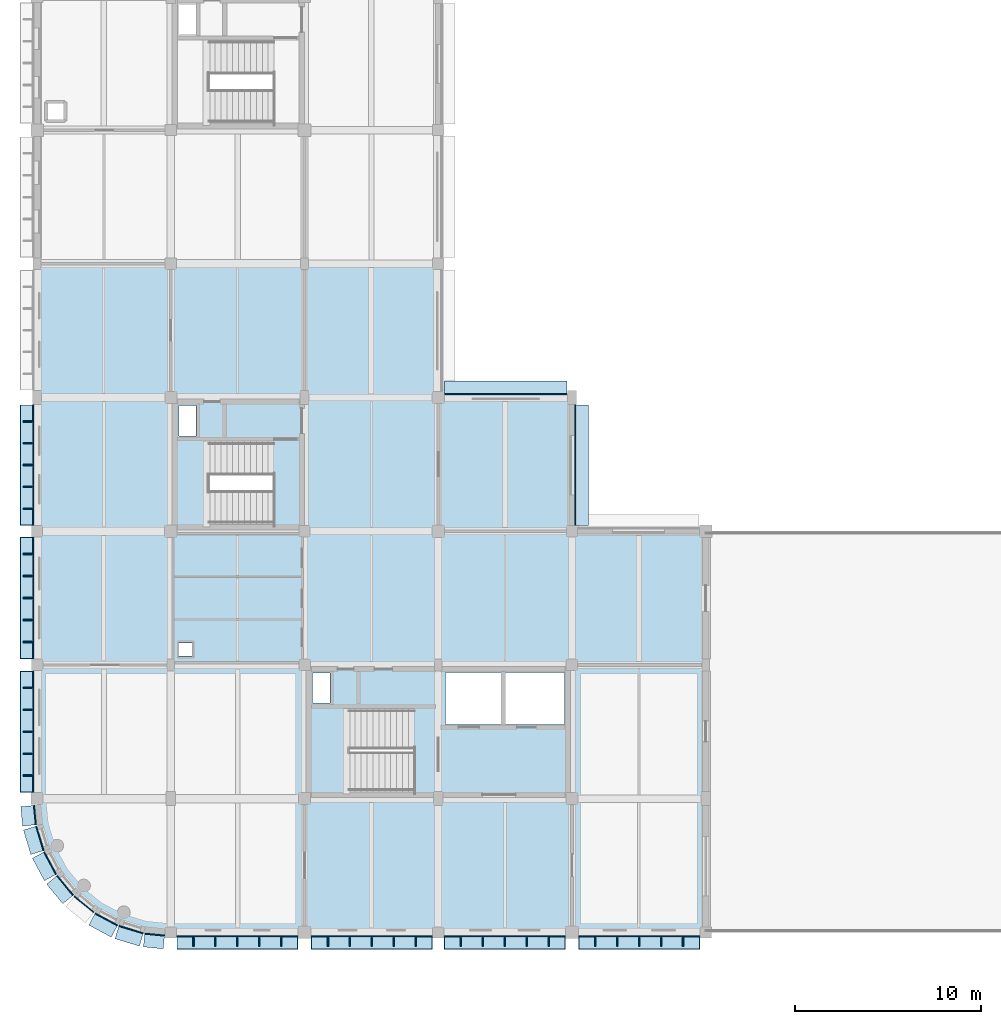
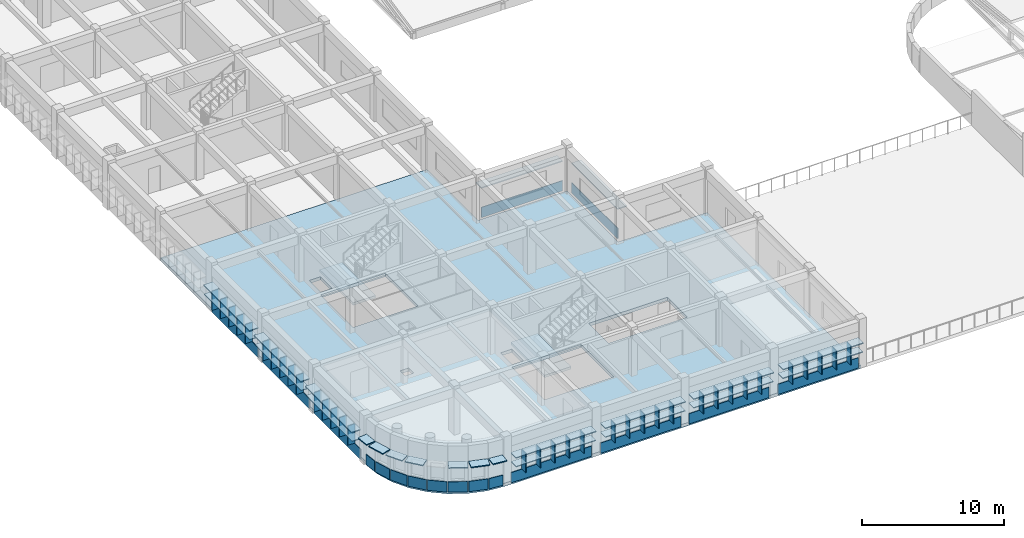
# One storey, part 66 of 103: 75 plates, 3 slabs, 2 elements without a shape of their own.
"""IFC4 building model written with IfcOpenShell, lengths in metres."""

import ifcopenshell
import ifcopenshell.guid

model = None  # the IFC model being written
_history = None  # IfcOwnerHistory: only IFC2X3 demands one
_inside = {}  # id of a spatial element -> (the spatial element, [elements in it])
_under = {}  # id of a project, library or spatial element -> (it, [spatial elements below it])
_declared = {}  # id of a project -> (the project, [libraries it declares])
_typed = {}  # id of a type object -> (the type object, [elements of that type])
_made_of = {}  # id of a material, layer set ... -> (it, [elements and type objects made of it])


def new_model(schema):
    """Start an empty IFC model of exactly this schema.

    Asked for "IFC4X3", IfcOpenShell would pick the latest addendum, in which some entities
    have other attributes; the version numbers below select the first issue.
    IFC2X3 requires an IfcOwnerHistory on every rooted entity: one is made here for all.
    """
    global model, _history
    if schema == "IFC4X3":
        model = ifcopenshell.file(schema_version=(4, 3, 0, 0))
    else:
        model = ifcopenshell.file(schema=schema)
    _inside.clear()
    _under.clear()
    _declared.clear()
    _typed.clear()
    _made_of.clear()
    _history = None
    if model.schema == "IFC2X3":
        org = make("IfcOrganization", Name="unknown")
        user = make(
            "IfcPersonAndOrganization",
            ThePerson=make("IfcPerson", FamilyName="unknown"),
            TheOrganization=org,
        )
        app = make(
            "IfcApplication",
            ApplicationDeveloper=org,
            Version="unknown",
            ApplicationFullName="unknown",
            ApplicationIdentifier="unknown",
        )
        _history = make(
            "IfcOwnerHistory",
            OwningUser=user,
            OwningApplication=app,
            ChangeAction="ADDED",
            CreationDate=0,
        )
    return model


def make(cls, **values):
    """One entity of the class cls with the attributes given. An attribute that is None is left unset."""
    return model.create_entity(
        cls, **{name: value for name, value in values.items() if value is not None}
    )


def rooted(cls, **values):
    """An entity with a GlobalId (a new one), such as an element, a storey or a relation."""
    return make(cls, GlobalId=ifcopenshell.guid.new(), OwnerHistory=_history, **values)


def si_unit(unit_type, name, prefix=None):
    """IfcSIUnit, for example si_unit("LENGTHUNIT", "METRE", prefix="MILLI")."""
    return make("IfcSIUnit", UnitType=unit_type, Prefix=prefix, Name=name)


def assignment(units):
    """IfcUnitAssignment: the units of a project."""
    return None if units is None else make("IfcUnitAssignment", Units=units)


def point(xyz):
    """IfcCartesianPoint."""
    return None if xyz is None else make("IfcCartesianPoint", Coordinates=xyz)


def direction(xyz):
    """IfcDirection."""
    return None if xyz is None else make("IfcDirection", DirectionRatios=xyz)


def frame(location, z_axis=None, x_axis=None):
    """IfcAxis2Placement3D, a coordinate frame: its origin and axes. An axis left out is left unset."""
    return make(
        "IfcAxis2Placement3D",
        Location=point(location),
        Axis=direction(z_axis),
        RefDirection=direction(x_axis),
    )


def frame_2d(location, x_axis=None):
    """IfcAxis2Placement2D, a coordinate frame in the plane: its origin and x axis."""
    return make(
        "IfcAxis2Placement2D", Location=point(location), RefDirection=direction(x_axis)
    )


def origin():
    """The frame at (0, 0, 0) with its axes left unset."""
    return frame((0.0, 0.0, 0.0))


def origin_2d():
    """The frame at (0, 0) in the plane with its x axis left unset."""
    return frame_2d((0.0, 0.0))


def place(relative_to, where):
    """IfcLocalPlacement: puts the frame where relative to a parent placement (None: the world)."""
    return make(
        "IfcLocalPlacement", PlacementRelTo=relative_to, RelativePlacement=where
    )


def context(
    kind, dimensions, precision=None, world=None, true_north=None, identifier=None
):
    """IfcGeometricRepresentationContext, for example the 3D "Model" context."""
    return make(
        "IfcGeometricRepresentationContext",
        ContextIdentifier=identifier,
        ContextType=kind,
        CoordinateSpaceDimension=dimensions,
        Precision=precision,
        WorldCoordinateSystem=world,
        TrueNorth=true_north,
    )


def subcontext(parent, identifier, kind, view, scale=None):
    """IfcGeometricRepresentationSubContext, for example "Body" below "Model"."""
    return make(
        "IfcGeometricRepresentationSubContext",
        ContextIdentifier=identifier,
        ContextType=kind,
        ParentContext=parent,
        TargetScale=scale,
        TargetView=view,
    )


def project(units=None, contexts=None):
    """IfcProject with its units and contexts."""
    return rooted(
        "IfcProject",
        Name="project",
        RepresentationContexts=contexts,
        UnitsInContext=assignment(units),
    )


def spatial(cls, under=None, at=None, **own):
    """A site, building, storey or space (cls), placed at a placement, below another one or the project."""
    s = rooted(cls, ObjectPlacement=at, **own)
    if under is not None:
        _under.setdefault(under.id(), (under, []))[1].append(s)
    return s


def polyline(points):
    """IfcPolyline through the points."""
    return make("IfcPolyline", Points=[point(p) for p in points])


def profile(cls, at=None, kind="AREA", **sizes):
    """A parametric profile (cls). Its sizes go by their IFC names, for example OverallWidth=200.0."""
    return make(cls, ProfileType=kind, Position=at, **sizes)


def rectangle(**sizes):
    """IfcRectangleProfileDef."""
    return profile("IfcRectangleProfileDef", **sizes)


def outline(outer, holes=None, kind="AREA"):
    """IfcArbitraryClosedProfileDef: a profile drawn as a closed curve; with holes, ...WithVoids."""
    if holes is None:
        return make("IfcArbitraryClosedProfileDef", ProfileType=kind, OuterCurve=outer)
    return make(
        "IfcArbitraryProfileDefWithVoids",
        ProfileType=kind,
        OuterCurve=outer,
        InnerCurves=holes,
    )


def extrude(swept, where, along, depth):
    """IfcExtrudedAreaSolid: the profile swept, set in the frame where, extruded along a direction by depth."""
    return make(
        "IfcExtrudedAreaSolid",
        SweptArea=swept,
        Position=where,
        ExtrudedDirection=direction(along),
        Depth=depth,
    )


def shape(context_of_items, identifier, shape_type, items):
    """IfcShapeRepresentation: the items that make up one representation, for example the "Body"."""
    return make(
        "IfcShapeRepresentation",
        ContextOfItems=context_of_items,
        RepresentationIdentifier=identifier,
        RepresentationType=shape_type,
        Items=items,
    )


def material(Name=None, Category=None):
    """IfcMaterial."""
    return make("IfcMaterial", Name=Name, Category=Category)


def layer(
    of_material, thickness, ventilated=None, Name=None, Category=None, Priority=None
):
    """IfcMaterialLayer: one layer of a wall or slab, of a material (None: an air gap)."""
    return make(
        "IfcMaterialLayer",
        Material=of_material,
        LayerThickness=thickness,
        IsVentilated=ventilated,
        Name=Name,
        Category=Category,
        Priority=Priority,
    )


def layer_set(layers, Name=None):
    """IfcMaterialLayerSet."""
    return make("IfcMaterialLayerSet", MaterialLayers=layers, LayerSetName=Name)


def made_of(thing, what):
    """Note that an element or type object is made of a material, layer set ...; save() writes the relation."""
    if what is not None:
        _made_of.setdefault(what.id(), (what, []))[1].append(thing)
    return thing


def type_object(cls, material=None, **own):
    """A type object (cls), such as IfcWallType, which elements share."""
    return made_of(rooted(cls, **own), material)


def element(
    cls,
    number,
    at=None,
    inside=None,
    cuts=None,
    type_object=None,
    material=None,
    context=None,
    identifier="Body",
    shape_type=None,
    held_by="IfcProductDefinitionShape",
    body=None,
    shapes=None,
    **own,
):
    """One element of the class cls, such as IfcWall. Its Tag is "e" and its number.

    at: its placement. inside: the storey or other place that contains it. cuts: it is an
    opening in that element (IfcRelVoidsElement). A single representation is given by context,
    identifier, shape_type and body (its items); several are given by shapes. held_by: the class
    of the entity that holds the representations. save() writes the other relations.
    """
    e = rooted(cls, Tag="e%d" % number, ObjectPlacement=at, **own)
    if body is not None:
        shapes = [shape(context, identifier, shape_type, body)]
    if shapes is not None:
        e.Representation = make(held_by, Representations=shapes)
    if inside is not None:
        _inside.setdefault(inside.id(), (inside, []))[1].append(e)
    if cuts is not None:
        rooted(
            "IfcRelVoidsElement", RelatingBuildingElement=cuts, RelatedOpeningElement=e
        )
    if type_object is not None:
        _typed.setdefault(type_object.id(), (type_object, []))[1].append(e)
    return made_of(e, material)


def aggregate(whole, parts):
    """IfcRelAggregates: a whole, such as a stair, and the parts it consists of."""
    return rooted("IfcRelAggregates", RelatingObject=whole, RelatedObjects=parts)


def save(model, path):
    """Write the relations noted so far, then the file.

    IfcRelAggregates (storeys below a building ...), IfcRelContainedInSpatialStructure (elements
    in a storey), IfcRelDefinesByType, IfcRelAssociatesMaterial and IfcRelDeclares: one each for
    every whole, place, type object, material and project.
    """
    for whole, parts in _under.values():
        aggregate(whole, parts)
    for where, things in _inside.values():
        rooted(
            "IfcRelContainedInSpatialStructure",
            RelatedElements=things,
            RelatingStructure=where,
        )
    for kind, things in _typed.values():
        rooted("IfcRelDefinesByType", RelatedObjects=things, RelatingType=kind)
    for what, things in _made_of.values():
        rooted("IfcRelAssociatesMaterial", RelatedObjects=things, RelatingMaterial=what)
    for by, libraries in _declared.values():
        rooted("IfcRelDeclares", RelatingContext=by, RelatedDefinitions=libraries)
    model.write(path)


model = new_model("IFC4")

# Units and contexts
model_context = context("Model", 3, precision=1e-05, world=origin(), true_north=direction((0.0, 1.0)))
body_context = subcontext(model_context, "Body", "Model", "MODEL_VIEW")
ifc_project = project(units=[si_unit("LENGTHUNIT", "METRE"), si_unit("AREAUNIT", "SQUARE_METRE"), si_unit("VOLUMEUNIT", "CUBIC_METRE"), si_unit("PLANEANGLEUNIT", "RADIAN"), si_unit("MASSUNIT", "GRAM", prefix="KILO")], contexts=[model_context])

# Site, building, storey
site_placement = place(None, origin())
site = spatial("IfcSite", under=ifc_project, at=site_placement, CompositionType="ELEMENT")
building_placement = place(site_placement, origin())
building = spatial("IfcBuilding", under=site, at=building_placement, Name="Thalmaran Polytechnic", CompositionType="ELEMENT")
storey_placement = place(building_placement, frame((0.0, 0.0, 14.39990234375)))
storey = spatial("IfcBuildingStorey", under=building, at=storey_placement, Name="L03", CompositionType="ELEMENT", Elevation=14.39990234375)

# Plates
ifc_material_1 = material(Name="Anodised aluminium spandrel band", Category="aluminium")
ifc_layer_1 = layer(ifc_material_1, 0.054931640625, Name="Anodised aluminium spandrel band")
ifc_layer_set_1 = layer_set([ifc_layer_1], Name="Anodised aluminium spandrel band")
plate_type_1 = type_object("IfcPlateType", Name="PT-BD01", PredefinedType="SHEET", material=ifc_layer_set_1)
plate_1_placement = place(storey_placement, frame((-0.10888671875, 6.31689453125, 0.020263671875), z_axis=(0.0, 0.0, 1.0), x_axis=(-0.09801714033, 0.995184726672, 0.0)))
element("IfcPlate", 1, at=plate_1_placement, inside=storey, type_object=plate_type_1, Name="Streamline Horizontal Spandrel Band L03-029", PredefinedType="SHEET", context=body_context, shape_type="SweptSolid", body=[
    extrude(rectangle(XDim=1.04638671875, YDim=0.054931640625, at=origin_2d()), origin(), (0.0, 0.0, 1.0), 0.8798828125),
])
plate_2_placement = place(storey_placement, frame((-0.195068359375, 10.8076171875, 0.020263671875), z_axis=(0.0, 0.0, 1.0), x_axis=(0.0, 1.0, 0.0)))
element("IfcPlate", 2, at=plate_2_placement, inside=storey, type_object=plate_type_1, Name="Streamline Horizontal Spandrel Band L03-030", PredefinedType="SHEET", context=body_context, shape_type="SweptSolid", body=[
    extrude(rectangle(XDim=6.52490234375, YDim=0.054931640625, at=origin_2d()), origin(), (0.0, 0.0, 1.0), 0.8798828125),
])
plate_3_placement = place(storey_placement, frame((-0.195068359375, 18.0048828125, 0.020263671875), z_axis=(0.0, 0.0, 1.0), x_axis=(0.0, 1.0, 0.0)))
element("IfcPlate", 3, at=plate_3_placement, inside=storey, type_object=plate_type_1, Name="Streamline Horizontal Spandrel Band L03-031", PredefinedType="SHEET", context=body_context, shape_type="SweptSolid", body=[
    extrude(rectangle(XDim=6.550048828125, YDim=0.054931640625, at=origin_2d()), origin(), (0.0, 0.0, 1.0), 0.8798828125),
])
plate_4_placement = place(storey_placement, frame((-0.195068359375, 25.16259765625, 0.020263671875), z_axis=(0.0, 0.0, 1.0), x_axis=(0.0, 1.0, 0.0)))
element("IfcPlate", 4, at=plate_4_placement, inside=storey, type_object=plate_type_1, Name="Streamline Horizontal Spandrel Band L03-032", PredefinedType="SHEET", context=body_context, shape_type="SweptSolid", body=[
    extrude(rectangle(XDim=6.485107421875, YDim=0.054931640625, at=origin_2d()), origin(), (0.0, 0.0, 1.0), 0.8798828125),
])
plate_5_placement = place(storey_placement, frame((25.237548828125, 28.969970703125, 0.020263671875), z_axis=(0.0, 0.0, 1.0), x_axis=(1.0, 0.0, 0.0)))
element("IfcPlate", 5, at=plate_5_placement, inside=storey, type_object=plate_type_1, Name="Streamline Horizontal Spandrel Band L03-098", PredefinedType="SHEET", context=body_context, shape_type="SweptSolid", body=[
    extrude(rectangle(XDim=6.5849609375, YDim=0.054931640625, at=origin_2d()), origin(), (0.0, 0.0, 1.0), 0.8798828125),
])
plate_6_placement = place(storey_placement, frame((28.969970703125, 25.16259765625, 0.020263671875), z_axis=(0.0, 0.0, 1.0), x_axis=(0.0, -1.0, 0.0)))
element("IfcPlate", 6, at=plate_6_placement, inside=storey, type_object=plate_type_1, Name="Streamline Horizontal Spandrel Band L03-099", PredefinedType="SHEET", context=body_context, shape_type="SweptSolid", body=[
    extrude(rectangle(XDim=6.485107421875, YDim=0.054931640625, at=origin_2d()), origin(), (0.0, 0.0, 1.0), 0.8798828125),
])
for number, where, z_axis, x_axis, name in (
    (7, (32.419921875, -0.195068359375, 0.020263671875), (0.0, 0.0, 1.0), (-1.0, 0.0, 0.0), "Streamline Horizontal Spandrel Band L03-104"),
    (8, (25.179931640625, -0.195068359375, 0.020263671875), (0.0, 0.0, 1.0), (-1.0, 0.0, 0.0), "Streamline Horizontal Spandrel Band L03-105"),
    (9, (18.02001953125, -0.195068359375, 0.020263671875), (0.0, 0.0, 1.0), (-1.0, 0.0, 0.0), "Streamline Horizontal Spandrel Band L03-106"),
    (10, (10.780029296875, -0.195068359375, 0.020263671875), (0.0, 0.0, 1.0), (-1.0, 0.0, 0.0), "Streamline Horizontal Spandrel Band L03-107"),
):
    element("IfcPlate", number, at=place(storey_placement, frame(where, z_axis=z_axis, x_axis=x_axis)), inside=storey, type_object=plate_type_1, Name=name, PredefinedType="SHEET", context=body_context, shape_type="SweptSolid", body=[
        extrude(rectangle(XDim=6.52001953125, YDim=0.054931640625, at=origin_2d()), origin(), (0.0, 0.0, 1.0), 0.8798828125),
    ])
plate_7_placement = place(storey_placement, frame((6.329345703125, -0.110107421875, 0.020263671875), z_axis=(0.0, 0.0, 1.0), x_axis=(-0.995184726672, 0.09801714033, 0.0)))
element("IfcPlate", 11, at=plate_7_placement, inside=storey, type_object=plate_type_1, Name="Streamline Horizontal Spandrel Band L03-108", PredefinedType="SHEET", context=body_context, shape_type="SweptSolid", body=[
    extrude(rectangle(XDim=1.0712890625, YDim=0.054931640625, at=origin_2d()), origin(), (0.0, 0.0, 1.0), 0.8798828125),
])
for number, where, z_axis, x_axis, name in (
    (12, (5.0634765625, 0.156494140625, 0.020263671875), (0.0, 0.0, 1.0), (-0.956940335732, 0.290284677254, 0.0), "Streamline Horizontal Spandrel Band L03-109"),
    (13, (3.73046875, 0.708740234375, 0.020263671875), (0.0, 0.0, 1.0), (-0.881921264348, 0.471396736826, 0.0), "Streamline Horizontal Spandrel Band L03-110"),
    (14, (2.53076171875, 1.510498046875, 0.020263671875), (0.0, 0.0, 1.0), (-0.773010453363, 0.634393284164, 0.0), "Streamline Horizontal Spandrel Band L03-111"),
    (15, (1.510498046875, 2.53076171875, 0.020263671875), (0.0, 0.0, 1.0), (-0.634393284164, 0.773010453363, 0.0), "Streamline Horizontal Spandrel Band L03-112"),
    (16, (0.708740234375, 3.73046875, 0.020263671875), (0.0, 0.0, 1.0), (-0.471396736826, 0.881921264348, 0.0), "Streamline Horizontal Spandrel Band L03-113"),
    (17, (0.156494140625, 5.0634765625, 0.020263671875), (0.0, 0.0, 1.0), (-0.290284677254, 0.956940335732, 0.0), "Streamline Horizontal Spandrel Band L03-114"),
):
    element("IfcPlate", number, at=place(storey_placement, frame(where, z_axis=z_axis, x_axis=x_axis)), inside=storey, type_object=plate_type_1, Name=name, PredefinedType="SHEET", context=body_context, shape_type="SweptSolid", body=[
        extrude(rectangle(XDim=1.371337890625, YDim=0.054931640625, at=origin_2d()), origin(), (0.0, 0.0, 1.0), 0.8798828125),
    ])
ifc_material_2 = material(Name="Anodised aluminium sun-hood eyebrow", Category="aluminium")
ifc_layer_2 = layer(ifc_material_2, 0.0849609375, Name="Anodised aluminium sun-hood eyebrow")
ifc_layer_set_2 = layer_set([ifc_layer_2], Name="Anodised aluminium sun-hood eyebrow")
plate_type_2 = type_object("IfcPlateType", Name="PT-EB01", PredefinedType="SHEET", material=ifc_layer_set_2)
plate_8_placement = place(storey_placement, frame((-0.452392578125, 6.282958984375, 2.517578125), z_axis=(0.0, 0.0, 1.0), x_axis=(-0.09801714033, 0.995184726672, 0.0)))
element("IfcPlate", 18, at=plate_8_placement, inside=storey, type_object=plate_type_2, Name="Streamline Sun-Hood Eyebrow L03-029", PredefinedType="SHEET", context=body_context, shape_type="SweptSolid", body=[
    extrude(rectangle(XDim=1.04638671875, YDim=0.760009765625, at=origin_2d()), origin(), (0.0, 0.0, 1.0), 0.0849609375),
])
plate_9_placement = place(storey_placement, frame((-0.5400390625, 10.8076171875, 2.517578125), z_axis=(0.0, 0.0, 1.0), x_axis=(0.0, 1.0, 0.0)))
element("IfcPlate", 19, at=plate_9_placement, inside=storey, type_object=plate_type_2, Name="Streamline Sun-Hood Eyebrow L03-030", PredefinedType="SHEET", context=body_context, shape_type="SweptSolid", body=[
    extrude(rectangle(XDim=6.52490234375, YDim=0.760009765625, at=origin_2d()), origin(), (0.0, 0.0, 1.0), 0.0849609375),
])
plate_10_placement = place(storey_placement, frame((-0.52001953125, 10.8076171875, 1.74267578125), z_axis=(0.0, 0.0, 1.0), x_axis=(0.0, 1.0, 0.0)))
element("IfcPlate", 20, at=plate_10_placement, inside=storey, type_object=plate_type_2, Name="Abu Dhabi Horizontal Solar Louvre L03-030", PredefinedType="SHEET", context=body_context, shape_type="SweptSolid", body=[
    extrude(rectangle(XDim=6.485107421875, YDim=0.719970703125, at=origin_2d()), origin(), (0.0, 0.0, 1.0), 0.074951171875),
])
plate_11_placement = place(storey_placement, frame((-0.5400390625, 18.0048828125, 2.517578125), z_axis=(0.0, 0.0, 1.0), x_axis=(0.0, 1.0, 0.0)))
element("IfcPlate", 21, at=plate_11_placement, inside=storey, type_object=plate_type_2, Name="Streamline Sun-Hood Eyebrow L03-031", PredefinedType="SHEET", context=body_context, shape_type="SweptSolid", body=[
    extrude(rectangle(XDim=6.550048828125, YDim=0.760009765625, at=origin_2d()), origin(), (0.0, 0.0, 1.0), 0.0849609375),
])
plate_12_placement = place(storey_placement, frame((-0.52001953125, 18.0048828125, 1.74267578125), z_axis=(0.0, 0.0, 1.0), x_axis=(0.0, 1.0, 0.0)))
element("IfcPlate", 22, at=plate_12_placement, inside=storey, type_object=plate_type_2, Name="Abu Dhabi Horizontal Solar Louvre L03-031", PredefinedType="SHEET", context=body_context, shape_type="SweptSolid", body=[
    extrude(rectangle(XDim=6.510009765625, YDim=0.719970703125, at=origin_2d()), origin(), (0.0, 0.0, 1.0), 0.074951171875),
])
plate_13_placement = place(storey_placement, frame((-0.5400390625, 25.16259765625, 2.517578125), z_axis=(0.0, 0.0, 1.0), x_axis=(0.0, 1.0, 0.0)))
element("IfcPlate", 23, at=plate_13_placement, inside=storey, type_object=plate_type_2, Name="Streamline Sun-Hood Eyebrow L03-032", PredefinedType="SHEET", context=body_context, shape_type="SweptSolid", body=[
    extrude(rectangle(XDim=6.485107421875, YDim=0.760009765625, at=origin_2d()), origin(), (0.0, 0.0, 1.0), 0.0849609375),
])
plate_14_placement = place(storey_placement, frame((-0.52001953125, 25.16259765625, 1.74267578125), z_axis=(0.0, 0.0, 1.0), x_axis=(0.0, 1.0, 0.0)))
element("IfcPlate", 24, at=plate_14_placement, inside=storey, type_object=plate_type_2, Name="Abu Dhabi Horizontal Solar Louvre L03-032", PredefinedType="SHEET", context=body_context, shape_type="SweptSolid", body=[
    extrude(rectangle(XDim=6.445068359375, YDim=0.719970703125, at=origin_2d()), origin(), (0.0, 0.0, 1.0), 0.074951171875),
])
plate_15_placement = place(storey_placement, frame((25.237548828125, 29.31494140625, 2.517578125), z_axis=(0.0, 0.0, 1.0), x_axis=(1.0, 0.0, 0.0)))
element("IfcPlate", 25, at=plate_15_placement, inside=storey, type_object=plate_type_2, Name="Streamline Sun-Hood Eyebrow L03-098", PredefinedType="SHEET", context=body_context, shape_type="SweptSolid", body=[
    extrude(rectangle(XDim=6.5849609375, YDim=0.760009765625, at=origin_2d()), origin(), (0.0, 0.0, 1.0), 0.0849609375),
])
plate_16_placement = place(storey_placement, frame((29.31494140625, 25.16259765625, 2.517578125), z_axis=(0.0, 0.0, 1.0), x_axis=(0.0, -1.0, 0.0)))
element("IfcPlate", 26, at=plate_16_placement, inside=storey, type_object=plate_type_2, Name="Streamline Sun-Hood Eyebrow L03-099", PredefinedType="SHEET", context=body_context, shape_type="SweptSolid", body=[
    extrude(rectangle(XDim=6.485107421875, YDim=0.760009765625, at=origin_2d()), origin(), (0.0, 0.0, 1.0), 0.0849609375),
])
plate_17_placement = place(storey_placement, frame((32.419921875, -0.5400390625, 2.517578125), z_axis=(0.0, 0.0, 1.0), x_axis=(-1.0, 0.0, 0.0)))
element("IfcPlate", 27, at=plate_17_placement, inside=storey, type_object=plate_type_2, Name="Streamline Sun-Hood Eyebrow L03-104", PredefinedType="SHEET", context=body_context, shape_type="SweptSolid", body=[
    extrude(rectangle(XDim=6.52001953125, YDim=0.760009765625, at=origin_2d()), origin(), (0.0, 0.0, 1.0), 0.0849609375),
])
plate_18_placement = place(storey_placement, frame((32.419921875, -0.52001953125, 1.74267578125), z_axis=(0.0, 0.0, 1.0), x_axis=(-1.0, 0.0, 0.0)))
element("IfcPlate", 28, at=plate_18_placement, inside=storey, type_object=plate_type_2, Name="Abu Dhabi Horizontal Solar Louvre L03-104", PredefinedType="SHEET", context=body_context, shape_type="SweptSolid", body=[
    extrude(rectangle(XDim=6.47998046875, YDim=0.719970703125, at=origin_2d()), origin(), (0.0, 0.0, 1.0), 0.074951171875),
])
plate_19_placement = place(storey_placement, frame((25.179931640625, -0.5400390625, 2.517578125), z_axis=(0.0, 0.0, 1.0), x_axis=(-1.0, 0.0, 0.0)))
element("IfcPlate", 29, at=plate_19_placement, inside=storey, type_object=plate_type_2, Name="Streamline Sun-Hood Eyebrow L03-105", PredefinedType="SHEET", context=body_context, shape_type="SweptSolid", body=[
    extrude(rectangle(XDim=6.52001953125, YDim=0.760009765625, at=origin_2d()), origin(), (0.0, 0.0, 1.0), 0.0849609375),
])
plate_20_placement = place(storey_placement, frame((25.179931640625, -0.52001953125, 1.74267578125), z_axis=(0.0, 0.0, 1.0), x_axis=(-1.0, 0.0, 0.0)))
element("IfcPlate", 30, at=plate_20_placement, inside=storey, type_object=plate_type_2, Name="Abu Dhabi Horizontal Solar Louvre L03-105", PredefinedType="SHEET", context=body_context, shape_type="SweptSolid", body=[
    extrude(rectangle(XDim=6.47998046875, YDim=0.719970703125, at=origin_2d()), origin(), (0.0, 0.0, 1.0), 0.074951171875),
])
plate_21_placement = place(storey_placement, frame((18.02001953125, -0.5400390625, 2.517578125), z_axis=(0.0, 0.0, 1.0), x_axis=(-1.0, 0.0, 0.0)))
element("IfcPlate", 31, at=plate_21_placement, inside=storey, type_object=plate_type_2, Name="Streamline Sun-Hood Eyebrow L03-106", PredefinedType="SHEET", context=body_context, shape_type="SweptSolid", body=[
    extrude(rectangle(XDim=6.52001953125, YDim=0.760009765625, at=origin_2d()), origin(), (0.0, 0.0, 1.0), 0.0849609375),
])
plate_22_placement = place(storey_placement, frame((18.02001953125, -0.52001953125, 1.74267578125), z_axis=(0.0, 0.0, 1.0), x_axis=(-1.0, 0.0, 0.0)))
element("IfcPlate", 32, at=plate_22_placement, inside=storey, type_object=plate_type_2, Name="Abu Dhabi Horizontal Solar Louvre L03-106", PredefinedType="SHEET", context=body_context, shape_type="SweptSolid", body=[
    extrude(rectangle(XDim=6.47998046875, YDim=0.719970703125, at=origin_2d()), origin(), (0.0, 0.0, 1.0), 0.074951171875),
])
plate_23_placement = place(storey_placement, frame((10.780029296875, -0.5400390625, 2.517578125), z_axis=(0.0, 0.0, 1.0), x_axis=(-1.0, 0.0, 0.0)))
element("IfcPlate", 33, at=plate_23_placement, inside=storey, type_object=plate_type_2, Name="Streamline Sun-Hood Eyebrow L03-107", PredefinedType="SHEET", context=body_context, shape_type="SweptSolid", body=[
    extrude(rectangle(XDim=6.52001953125, YDim=0.760009765625, at=origin_2d()), origin(), (0.0, 0.0, 1.0), 0.0849609375),
])
plate_24_placement = place(storey_placement, frame((10.780029296875, -0.52001953125, 1.74267578125), z_axis=(0.0, 0.0, 1.0), x_axis=(-1.0, 0.0, 0.0)))
element("IfcPlate", 34, at=plate_24_placement, inside=storey, type_object=plate_type_2, Name="Abu Dhabi Horizontal Solar Louvre L03-107", PredefinedType="SHEET", context=body_context, shape_type="SweptSolid", body=[
    extrude(rectangle(XDim=6.47998046875, YDim=0.719970703125, at=origin_2d()), origin(), (0.0, 0.0, 1.0), 0.074951171875),
])
plate_25_placement = place(storey_placement, frame((6.29541015625, -0.45361328125, 2.517578125), z_axis=(0.0, 0.0, 1.0), x_axis=(-0.995184726672, 0.09801714033, 0.0)))
element("IfcPlate", 35, at=plate_25_placement, inside=storey, type_object=plate_type_2, Name="Streamline Sun-Hood Eyebrow L03-108", PredefinedType="SHEET", context=body_context, shape_type="SweptSolid", body=[
    extrude(rectangle(XDim=1.0712890625, YDim=0.760009765625, at=origin_2d()), origin(), (0.0, 0.0, 1.0), 0.0849609375),
])
for number, where, z_axis, x_axis, name in (
    (36, (4.96337890625, -0.173583984375, 2.517578125), (0.0, 0.0, 1.0), (-0.956940335732, 0.290284677254, 0.0), "Streamline Sun-Hood Eyebrow L03-109"),
    (37, (3.567626953125, 0.404541015625, 2.517578125), (0.0, 0.0, 1.0), (-0.881921264348, 0.471396736826, 0.0), "Streamline Sun-Hood Eyebrow L03-110"),
    (38, (1.24365234375, 2.311767578125, 2.517578125), (0.0, 0.0, 1.0), (-0.634393284164, 0.773010453363, 0.0), "Streamline Sun-Hood Eyebrow L03-112"),
    (39, (0.404541015625, 3.567626953125, 2.517578125), (0.0, 0.0, 1.0), (-0.471396736826, 0.881921264348, 0.0), "Streamline Sun-Hood Eyebrow L03-113"),
    (40, (-0.173583984375, 4.96337890625, 2.517578125), (0.0, 0.0, 1.0), (-0.290284677254, 0.956940335732, 0.0), "Streamline Sun-Hood Eyebrow L03-114"),
):
    element("IfcPlate", number, at=place(storey_placement, frame(where, z_axis=z_axis, x_axis=x_axis)), inside=storey, type_object=plate_type_2, Name=name, PredefinedType="SHEET", context=body_context, shape_type="SweptSolid", body=[
        extrude(rectangle(XDim=1.371337890625, YDim=0.760009765625, at=origin_2d()), origin(), (0.0, 0.0, 1.0), 0.0849609375),
    ])
ifc_material_3 = material(Name="Anodised bronze brise-soleil fin")
ifc_layer_3 = layer(ifc_material_3, 0.06494140625, Name="Anodised bronze brise-soleil fin")
ifc_layer_set_3 = layer_set([ifc_layer_3], Name="Anodised bronze brise-soleil fin")
plate_type_3 = type_object("IfcPlateType", Name="PT-FN01", PredefinedType="SHEET", material=ifc_layer_set_3)
for number, where, z_axis, x_axis, name in (
    (41, (-0.4599609375, 8.444091796875, 0.895263671875), (0.0, 0.0, 1.0), (0.0, 1.0, 0.0), "Abu Dhabi Solar Brise-Soleil Fin L03-030-1"),
    (42, (-0.4599609375, 9.625732421875, 0.895263671875), (0.0, 0.0, 1.0), (0.0, 1.0, 0.0), "Abu Dhabi Solar Brise-Soleil Fin L03-030-2"),
    (43, (-0.4599609375, 10.8076171875, 0.895263671875), (0.0, 0.0, 1.0), (0.0, 1.0, 0.0), "Abu Dhabi Solar Brise-Soleil Fin L03-030-3"),
    (44, (-0.4599609375, 11.9892578125, 0.895263671875), (0.0, 0.0, 1.0), (0.0, 1.0, 0.0), "Abu Dhabi Solar Brise-Soleil Fin L03-030-4"),
    (45, (-0.4599609375, 13.1708984375, 0.895263671875), (0.0, 0.0, 1.0), (0.0, 1.0, 0.0), "Abu Dhabi Solar Brise-Soleil Fin L03-030-5"),
    (46, (-0.4599609375, 15.632568359375, 0.895263671875), (0.0, 0.0, 1.0), (0.0, 1.0, 0.0), "Abu Dhabi Solar Brise-Soleil Fin L03-031-1"),
    (47, (-0.4599609375, 16.81884765625, 0.895263671875), (0.0, 0.0, 1.0), (0.0, 1.0, 0.0), "Abu Dhabi Solar Brise-Soleil Fin L03-031-2"),
    (48, (-0.4599609375, 18.0048828125, 0.895263671875), (0.0, 0.0, 1.0), (0.0, 1.0, 0.0), "Abu Dhabi Solar Brise-Soleil Fin L03-031-3"),
    (49, (-0.4599609375, 19.191162109375, 0.895263671875), (0.0, 0.0, 1.0), (0.0, 1.0, 0.0), "Abu Dhabi Solar Brise-Soleil Fin L03-031-4"),
    (50, (-0.4599609375, 20.37744140625, 0.895263671875), (0.0, 0.0, 1.0), (0.0, 1.0, 0.0), "Abu Dhabi Solar Brise-Soleil Fin L03-031-5"),
    (51, (-0.4599609375, 22.8134765625, 0.895263671875), (0.0, 0.0, 1.0), (0.0, 1.0, 0.0), "Abu Dhabi Solar Brise-Soleil Fin L03-032-1"),
    (52, (-0.4599609375, 23.988037109375, 0.895263671875), (0.0, 0.0, 1.0), (0.0, 1.0, 0.0), "Abu Dhabi Solar Brise-Soleil Fin L03-032-2"),
    (53, (-0.4599609375, 25.16259765625, 0.895263671875), (0.0, 0.0, 1.0), (0.0, 1.0, 0.0), "Abu Dhabi Solar Brise-Soleil Fin L03-032-3"),
    (54, (-0.4599609375, 26.3369140625, 0.895263671875), (0.0, 0.0, 1.0), (0.0, 1.0, 0.0), "Abu Dhabi Solar Brise-Soleil Fin L03-032-4"),
    (55, (-0.4599609375, 27.511474609375, 0.895263671875), (0.0, 0.0, 1.0), (0.0, 1.0, 0.0), "Abu Dhabi Solar Brise-Soleil Fin L03-032-5"),
    (56, (34.781494140625, -0.4599609375, 0.895263671875), (0.0, 0.0, 1.0), (-1.0, 0.0, 0.0), "Abu Dhabi Solar Brise-Soleil Fin L03-104-1"),
    (57, (33.600830078125, -0.4599609375, 0.895263671875), (0.0, 0.0, 1.0), (-1.0, 0.0, 0.0), "Abu Dhabi Solar Brise-Soleil Fin L03-104-2"),
    (58, (32.419921875, -0.4599609375, 0.895263671875), (0.0, 0.0, 1.0), (-1.0, 0.0, 0.0), "Abu Dhabi Solar Brise-Soleil Fin L03-104-3"),
    (59, (31.2392578125, -0.4599609375, 0.895263671875), (0.0, 0.0, 1.0), (-1.0, 0.0, 0.0), "Abu Dhabi Solar Brise-Soleil Fin L03-104-4"),
    (60, (30.058349609375, -0.4599609375, 0.895263671875), (0.0, 0.0, 1.0), (-1.0, 0.0, 0.0), "Abu Dhabi Solar Brise-Soleil Fin L03-104-5"),
    (61, (27.54150390625, -0.4599609375, 0.895263671875), (0.0, 0.0, 1.0), (-1.0, 0.0, 0.0), "Abu Dhabi Solar Brise-Soleil Fin L03-105-1"),
    (62, (26.36083984375, -0.4599609375, 0.895263671875), (0.0, 0.0, 1.0), (-1.0, 0.0, 0.0), "Abu Dhabi Solar Brise-Soleil Fin L03-105-2"),
    (63, (25.179931640625, -0.4599609375, 0.895263671875), (0.0, 0.0, 1.0), (-1.0, 0.0, 0.0), "Abu Dhabi Solar Brise-Soleil Fin L03-105-3"),
    (64, (23.999267578125, -0.4599609375, 0.895263671875), (0.0, 0.0, 1.0), (-1.0, 0.0, 0.0), "Abu Dhabi Solar Brise-Soleil Fin L03-105-4"),
    (65, (22.818359375, -0.4599609375, 0.895263671875), (0.0, 0.0, 1.0), (-1.0, 0.0, 0.0), "Abu Dhabi Solar Brise-Soleil Fin L03-105-5"),
    (66, (20.381591796875, -0.4599609375, 0.895263671875), (0.0, 0.0, 1.0), (-1.0, 0.0, 0.0), "Abu Dhabi Solar Brise-Soleil Fin L03-106-1"),
    (67, (19.20068359375, -0.4599609375, 0.895263671875), (0.0, 0.0, 1.0), (-1.0, 0.0, 0.0), "Abu Dhabi Solar Brise-Soleil Fin L03-106-2"),
    (68, (18.02001953125, -0.4599609375, 0.895263671875), (0.0, 0.0, 1.0), (-1.0, 0.0, 0.0), "Abu Dhabi Solar Brise-Soleil Fin L03-106-3"),
    (69, (16.839111328125, -0.4599609375, 0.895263671875), (0.0, 0.0, 1.0), (-1.0, 0.0, 0.0), "Abu Dhabi Solar Brise-Soleil Fin L03-106-4"),
    (70, (15.658447265625, -0.4599609375, 0.895263671875), (0.0, 0.0, 1.0), (-1.0, 0.0, 0.0), "Abu Dhabi Solar Brise-Soleil Fin L03-106-5"),
    (71, (13.1416015625, -0.4599609375, 0.895263671875), (0.0, 0.0, 1.0), (-1.0, 0.0, 0.0), "Abu Dhabi Solar Brise-Soleil Fin L03-107-1"),
    (72, (11.960693359375, -0.4599609375, 0.895263671875), (0.0, 0.0, 1.0), (-1.0, 0.0, 0.0), "Abu Dhabi Solar Brise-Soleil Fin L03-107-2"),
    (73, (10.780029296875, -0.4599609375, 0.895263671875), (0.0, 0.0, 1.0), (-1.0, 0.0, 0.0), "Abu Dhabi Solar Brise-Soleil Fin L03-107-3"),
    (74, (9.59912109375, -0.4599609375, 0.895263671875), (0.0, 0.0, 1.0), (-1.0, 0.0, 0.0), "Abu Dhabi Solar Brise-Soleil Fin L03-107-4"),
    (75, (8.41845703125, -0.4599609375, 0.895263671875), (0.0, 0.0, 1.0), (-1.0, 0.0, 0.0), "Abu Dhabi Solar Brise-Soleil Fin L03-107-5"),
):
    element("IfcPlate", number, at=place(storey_placement, frame(where, z_axis=z_axis, x_axis=x_axis)), inside=storey, type_object=plate_type_3, Name=name, PredefinedType="SHEET", context=body_context, shape_type="SweptSolid", body=[
        extrude(rectangle(XDim=0.06494140625, YDim=0.56005859375, at=origin_2d()), origin(), (0.0, 0.0, 1.0), 1.64990234375),
    ])

# Slab
ifc_material_4 = material(Name="Concrete C40/50", Category="concrete")
ifc_layer_4 = layer(ifc_material_4, 0.27490234375, Name="Concrete C40/50")
ifc_layer_set_4 = layer_set([ifc_layer_4], Name="Concrete C40/50")
slab_type_1 = type_object("IfcSlabType", Name="SL-FL05", PredefinedType="FLOOR", material=ifc_layer_set_4)
slab_1_placement = place(storey_placement, frame((0.0, 0.0, -0.27490234375)))
element("IfcSlab", 76, at=slab_1_placement, inside=storey, type_object=slab_type_1, Name="V1S L03 Structural Slab", PredefinedType="FLOOR", context=body_context, shape_type="SweptSolid", body=[
    extrude(outline(polyline([(0.0, 21.60009765625), (0.0, 28.800048828125), (0.0, 36.0), (7.199951171875, 36.0), (14.39990234375, 36.0), (21.60009765625, 36.0), (21.60009765625, 28.800048828125), (28.800048828125, 28.800048828125), (28.800048828125, 21.60009765625), (36.0, 21.60009765625), (36.0, 14.39990234375), (36.0, 7.199951171875), (36.0, 0.0), (28.800048828125, 0.0), (21.60009765625, 0.0), (14.39990234375, 0.0), (7.199951171875, 0.0), (5.79541015625, 0.138427734375), (4.444580078125, 0.548095703125), (3.199951171875, 1.21337890625), (2.10888671875, 2.10888671875), (1.21337890625, 3.199951171875), (0.548095703125, 4.444580078125), (0.138427734375, 5.79541015625), (0.0, 7.199951171875), (0.0, 14.39990234375), (0.0, 21.60009765625)]), holes=[polyline([(28.39990234375, 11.199951171875), (28.39990234375, 14.0), (22.0, 14.0), (22.0, 11.199951171875), (28.39990234375, 11.199951171875)]), polyline([(14.64990234375, 12.0400390625), (14.64990234375, 7.449951171875), (20.280029296875, 7.449951171875), (20.280029296875, 12.0400390625), (14.64990234375, 12.0400390625)]), polyline([(15.760009765625, 13.9599609375), (14.840087890625, 13.9599609375), (14.840087890625, 12.340087890625), (15.760009765625, 12.340087890625), (15.760009765625, 13.9599609375)]), polyline([(7.449951171875, 21.85009765625), (12.719970703125, 21.85009765625), (12.719970703125, 26.43994140625), (7.449951171875, 26.43994140625), (7.449951171875, 21.85009765625)]), polyline([(7.639892578125, 28.360107421875), (7.639892578125, 26.739990234375), (8.56005859375, 26.739990234375), (8.56005859375, 28.360107421875), (7.639892578125, 28.360107421875)]), polyline([(8.35009765625, 15.580078125), (7.64990234375, 15.580078125), (7.64990234375, 14.8798828125), (8.35009765625, 14.8798828125), (8.35009765625, 15.580078125)])]), origin(), (0.0, 0.0, 1.0), 0.27490234375),
])

# Stair, slab
stair_type = type_object("IfcStairType", Name="ST-HT42", PredefinedType="HALF_TURN_STAIR", material=ifc_material_4)
stair_1_placement = place(storey_placement, origin())
stair_1 = element("IfcStair", 77, at=stair_1_placement, inside=storey, type_object=stair_type, Name="Exit Stair ST1 L03", PredefinedType="HALF_TURN_STAIR")
ifc_layer_5 = layer(ifc_material_4, 0.2099609375, Name="Concrete C40/50")
ifc_layer_set_5 = layer_set([ifc_layer_5], Name="Concrete C40/50")
slab_type_2 = type_object("IfcSlabType", Name="SL-LD01", PredefinedType="LANDING", material=ifc_layer_set_5)
slab_2_placement = place(storey_placement, frame((0.0, 0.0, 1.89013671875)))
slab_2 = element("IfcSlab", 78, at=slab_2_placement, type_object=slab_type_2, Name="ST1 L03 Half Landing", PredefinedType="LANDING", context=body_context, shape_type="SweptSolid", body=[
    extrude(outline(polyline([(14.639892578125, 7.43994140625), (16.800048828125, 7.43994140625), (16.800048828125, 12.139892578125), (14.639892578125, 12.139892578125), (14.639892578125, 7.43994140625)])), origin(), (0.0, 0.0, 1.0), 0.2099609375),
])
aggregate(stair_1, [slab_2])

stair_2_placement = place(storey_placement, origin())
stair_2 = element("IfcStair", 79, at=stair_2_placement, inside=storey, type_object=stair_type, Name="Exit Stair ST3 L03", PredefinedType="HALF_TURN_STAIR")
slab_3_placement = place(storey_placement, frame((0.0, 0.0, 1.89013671875)))
slab_3 = element("IfcSlab", 80, at=slab_3_placement, type_object=slab_type_2, Name="ST3 L03 Half Landing", PredefinedType="LANDING", context=body_context, shape_type="SweptSolid", body=[
    extrude(outline(polyline([(7.43994140625, 21.840087890625), (9.260009765625, 21.840087890625), (9.260009765625, 26.5400390625), (7.43994140625, 26.5400390625), (7.43994140625, 21.840087890625)])), origin(), (0.0, 0.0, 1.0), 0.2099609375),
])
aggregate(stair_2, [slab_3])

save(model, "model.ifc")
